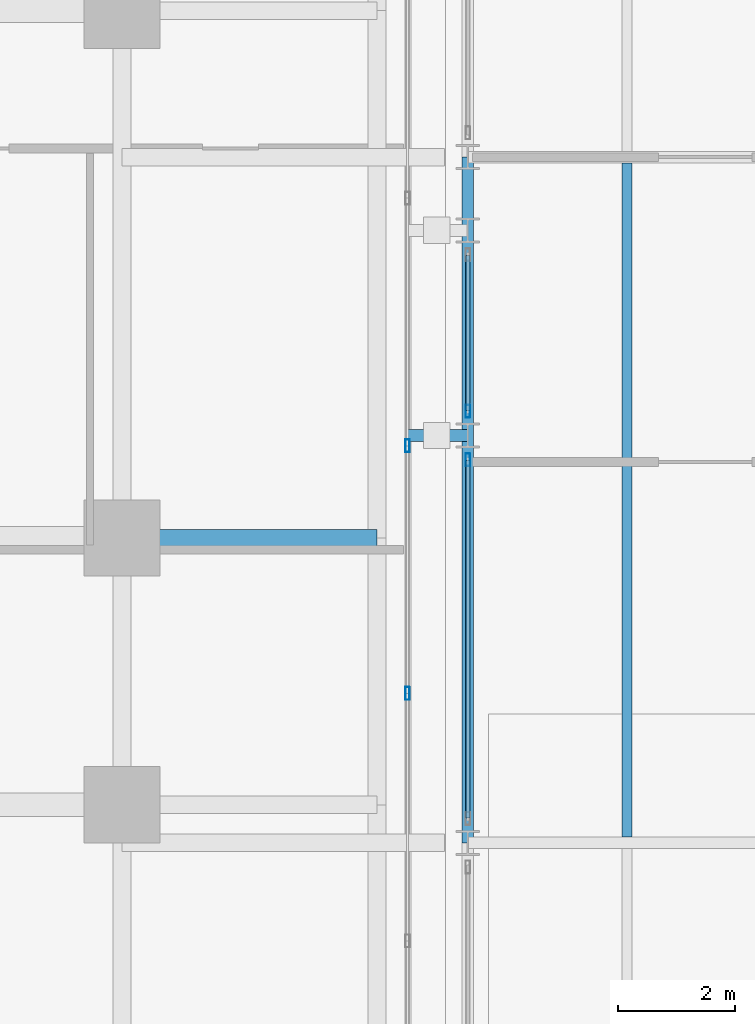
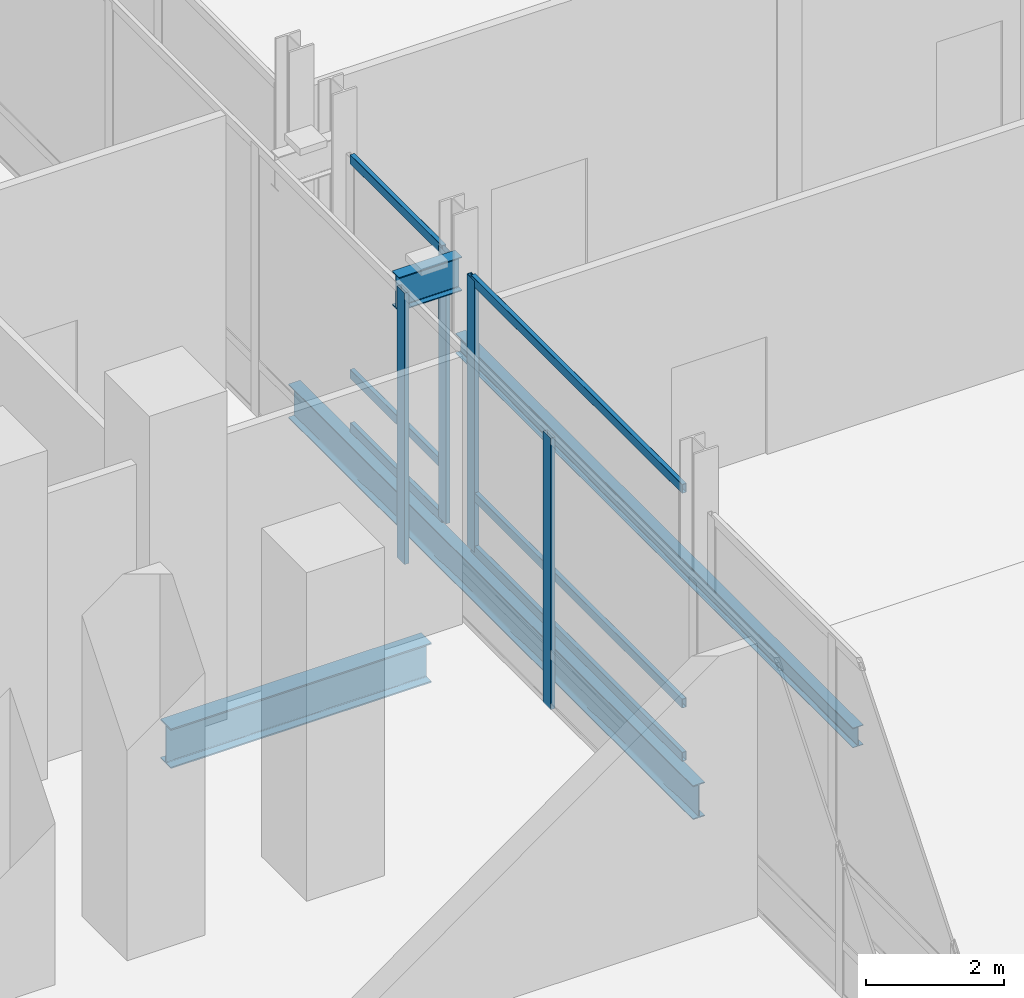
# One storey, part 11 of 36: 10 members, 4 beams, 3 elements without a shape of their own.
"""IFC4 building model written with IfcOpenShell, lengths in metres."""

from ifc_helpers import new_model, si_unit, direction, frame, origin, origin_2d, place, context, subcontext, project, spatial, hollow_rectangle, i_section, extrude, material, material_profile, profile_set, type_object, element, aggregate, save


model = new_model("IFC4")

# Units and contexts
model_context = context("Model", 3, precision=1e-05, world=origin(), true_north=direction((0.0, 1.0)))
body_context = subcontext(model_context, "Body", "Model", "MODEL_VIEW")
ifc_project = project(units=[si_unit("LENGTHUNIT", "METRE"), si_unit("AREAUNIT", "SQUARE_METRE"), si_unit("VOLUMEUNIT", "CUBIC_METRE"), si_unit("PLANEANGLEUNIT", "RADIAN"), si_unit("MASSUNIT", "GRAM", prefix="KILO")], contexts=[model_context])

# Site, building, storey
site_placement = place(None, origin())
site = spatial("IfcSite", under=ifc_project, at=site_placement, CompositionType="ELEMENT")
building_placement = place(site_placement, origin())
building = spatial("IfcBuilding", under=site, at=building_placement, Name="Noeulbin Bourse Tower", CompositionType="ELEMENT")
storey_placement = place(building_placement, origin())
storey = spatial("IfcBuildingStorey", under=building, at=storey_placement, Name="L01", CompositionType="ELEMENT", Elevation=0.0)

# Beams
ifc_material_1 = material(Name="Steel S355", Category="steel")
ifc_material_profile_1 = material_profile(ifc_material_1, i_section(OverallWidth=0.199951171875, OverallDepth=0.60009765625, WebThickness=0.010986328125, FlangeThickness=0.01708984375, FilletRadius=0.02197265625, at=origin_2d()), Name="H-600x200x11x17", Category="LoadBearing")
ifc_profile_set_1 = profile_set([ifc_material_profile_1], Name="Steel S355")
beam_type_1 = type_object("IfcBeamType", Name="BM-GRD-600", PredefinedType="USERDEFINED", material=ifc_profile_set_1)
beam_1_placement = place(storey_placement, frame((60.449951171875, 14.800048828125, -0.52001953125), z_axis=(0.0, 1.0, 0.0), x_axis=(-1.0, 0.0, 0.0)))
element("IfcBeam", 1, at=beam_1_placement, inside=storey, type_object=beam_type_1, Name="Market Hall Girder NS L01-12", ObjectType="GIRDER", PredefinedType="USERDEFINED", context=body_context, shape_type="SweptSolid", body=[
    extrude(i_section(OverallWidth=0.199951171875, OverallDepth=0.60009765625, WebThickness=0.010986328125, FlangeThickness=0.01708984375, FilletRadius=0.02197265625, at=origin_2d()), origin(), (0.0, 0.0, 1.0), 11.699951171875),
])
beam_2_placement = place(storey_placement, frame((59.39990234375, 21.75, 4.6298828125), z_axis=(1.0, 0.0, 0.0), x_axis=(0.0, 1.0, 0.0)))
element("IfcBeam", 2, at=beam_2_placement, inside=storey, type_object=beam_type_1, Name="Bridge Bearing Corbel Seat L02-1", ObjectType="GIRDER", PredefinedType="USERDEFINED", context=body_context, shape_type="SweptSolid", body=[
    extrude(i_section(OverallWidth=0.199951171875, OverallDepth=0.60009765625, WebThickness=0.010986328125, FlangeThickness=0.01708984375, FilletRadius=0.02197265625, at=origin_2d()), origin(), (0.0, 0.0, 1.0), 1.050048828125),
])
ifc_material_profile_2 = material_profile(ifc_material_1, i_section(OverallWidth=0.300048828125, OverallDepth=0.699951171875, WebThickness=0.012939453125, FlangeThickness=0.02392578125, FilletRadius=0.02392578125, at=origin_2d()), Name="H-700x300x13x24", Category="LoadBearing")
ifc_profile_set_2 = profile_set([ifc_material_profile_2], Name="Steel S355")
beam_type_2 = type_object("IfcBeamType", Name="BM-GRD-700", PredefinedType="USERDEFINED", material=ifc_profile_set_2)
beam_3_placement = place(storey_placement, frame((54.550048828125, 20.0, -0.60009765625), z_axis=(1.0, 0.0, 0.0), x_axis=(0.0, 1.0, 0.0)))
element("IfcBeam", 3, at=beam_3_placement, inside=storey, type_object=beam_type_2, Name="BM-L01-JNT-EW-3", ObjectType="GIRDER", PredefinedType="USERDEFINED", context=body_context, shape_type="SweptSolid", body=[
    extrude(i_section(OverallWidth=0.300048828125, OverallDepth=0.699951171875, WebThickness=0.012939453125, FlangeThickness=0.02392578125, FilletRadius=0.02392578125, at=origin_2d()), origin(), (0.0, 0.0, 1.0), 4.349853515625),
])
ifc_material_profile_3 = material_profile(ifc_material_1, i_section(OverallWidth=0.175048828125, OverallDepth=0.35009765625, WebThickness=0.007080078125, FlangeThickness=0.010986328125, FilletRadius=0.013916015625, at=origin_2d()), Name="H-350x175x7x11", Category="LoadBearing")
ifc_profile_set_3 = profile_set([ifc_material_profile_3], Name="Steel S355")
beam_type_3 = type_object("IfcBeamType", Name="BM-JST-350", PredefinedType="JOIST", material=ifc_profile_set_3)
beam_4_placement = place(storey_placement, frame((63.166748046875, 14.89990234375, -0.39501953125), z_axis=(0.0, 1.0, 0.0), x_axis=(-1.0, 0.0, 0.0)))
element("IfcBeam", 4, at=beam_4_placement, inside=storey, type_object=beam_type_3, Name="Market Hall Secondary Joist L01-02", PredefinedType="JOIST", context=body_context, shape_type="SweptSolid", body=[
    extrude(i_section(OverallWidth=0.175048828125, OverallDepth=0.35009765625, WebThickness=0.007080078125, FlangeThickness=0.010986328125, FilletRadius=0.013916015625, at=origin_2d()), origin(), (0.0, 0.0, 1.0), 11.5),
])

# Curtain wall, members
ifc_material_2 = material(Name="Laminated Clear Low-E Glass", Category="glass")
curtain_wall_type = type_object("IfcCurtainWallType", Name="CW-SYS-1", PredefinedType="NOTDEFINED", material=ifc_material_2)
curtain_wall_1_placement = place(storey_placement, origin())
curtain_wall_1 = element("IfcCurtainWall", 5, at=curtain_wall_1_placement, inside=storey, type_object=curtain_wall_type, Name="Unitised Curtain Wall CW-L01-GAL-W", PredefinedType="NOTDEFINED")
ifc_material_3 = material(Name="Anodised Aluminium 6063-T6", Category="aluminium")
ifc_material_profile_4 = material_profile(ifc_material_3, hollow_rectangle(XDim=0.074951171875, YDim=0.219970703125, WallThickness=0.0048828125, InnerFilletRadius=0.00244140625, OuterFilletRadius=0.0048828125, at=origin_2d()), Name="ALU-MULL-75x220x5", Category="LoadBearing")
ifc_profile_set_4 = profile_set([ifc_material_profile_4], Name="Anodised Aluminium 6063-T6")
member_type_1 = type_object("IfcMemberType", Name="CW-SYS-1-MUL", PredefinedType="MULLION", material=ifc_profile_set_4)
member_1_placement = place(storey_placement, frame((59.419921875, 17.35009765625, -0.02001953125), z_axis=(0.0, 0.0, 1.0), x_axis=(1.0, 0.0, 0.0)))
member_1 = element("IfcMember", 6, at=member_1_placement, type_object=member_type_1, Name="Curtain Wall Mullion CW-L01-GAL-W-M04", PredefinedType="MULLION", context=body_context, shape_type="SweptSolid", body=[
    extrude(hollow_rectangle(XDim=0.074951171875, YDim=0.219970703125, WallThickness=0.0048828125, InnerFilletRadius=0.00244140625, OuterFilletRadius=0.0048828125, at=origin_2d()), origin(), (0.0, 0.0, 1.0), 4.7900390625),
])
member_2_placement = place(storey_placement, frame((59.419921875, 21.574951171875, -0.02001953125), z_axis=(0.0, 0.0, 1.0), x_axis=(1.0, 0.0, 0.0)))
member_2 = element("IfcMember", 7, at=member_2_placement, type_object=member_type_1, Name="Curtain Wall Mullion CW-L01-GAL-W-M05", PredefinedType="MULLION", context=body_context, shape_type="SweptSolid", body=[
    extrude(hollow_rectangle(XDim=0.074951171875, YDim=0.219970703125, WallThickness=0.0048828125, InnerFilletRadius=0.00244140625, OuterFilletRadius=0.0048828125, at=origin_2d()), origin(), (0.0, 0.0, 1.0), 4.7900390625),
])
aggregate(curtain_wall_1, [member_1, member_2])

# Curtain wall, member
curtain_wall_2_placement = place(storey_placement, origin())
curtain_wall_2 = element("IfcCurtainWall", 8, at=curtain_wall_2_placement, inside=storey, type_object=curtain_wall_type, Name="Unitised Curtain Wall CW-L01-GAL-E-S3", PredefinedType="NOTDEFINED")
member_3_placement = place(storey_placement, frame((60.449951171875, 21.3359375, -0.02001953125), z_axis=(0.0, 0.0, 1.0), x_axis=(1.0, 0.0, 0.0)))
member_3 = element("IfcMember", 9, at=member_3_placement, type_object=member_type_1, Name="Curtain Wall Mullion CW-L01-GAL-E-S3-M01", PredefinedType="MULLION", context=body_context, shape_type="SweptSolid", body=[
    extrude(hollow_rectangle(XDim=0.074951171875, YDim=0.219970703125, WallThickness=0.0048828125, InnerFilletRadius=0.00244140625, OuterFilletRadius=0.0048828125, at=origin_2d()), origin(), (0.0, 0.0, 1.0), 4.7900390625),
])

curtain_wall_3_placement = place(storey_placement, origin())
curtain_wall_3 = element("IfcCurtainWall", 10, at=curtain_wall_3_placement, inside=storey, type_object=curtain_wall_type, Name="Unitised Curtain Wall CW-L01-GAL-E-S4", PredefinedType="NOTDEFINED")
member_4_placement = place(storey_placement, frame((60.449951171875, 22.1640625, -0.02001953125), z_axis=(0.0, 0.0, 1.0), x_axis=(1.0, 0.0, 0.0)))
member_4 = element("IfcMember", 11, at=member_4_placement, type_object=member_type_1, Name="Curtain Wall Mullion CW-L01-GAL-E-S4-M00", PredefinedType="MULLION", context=body_context, shape_type="SweptSolid", body=[
    extrude(hollow_rectangle(XDim=0.074951171875, YDim=0.219970703125, WallThickness=0.0048828125, InnerFilletRadius=0.00244140625, OuterFilletRadius=0.0048828125, at=origin_2d()), origin(), (0.0, 0.0, 1.0), 4.7900390625),
])

# Member
ifc_material_profile_5 = material_profile(ifc_material_3, hollow_rectangle(XDim=0.074951171875, YDim=0.159912109375, WallThickness=0.0048828125, InnerFilletRadius=0.00244140625, OuterFilletRadius=0.0048828125, at=origin_2d()), Name="ALU-TRAN-75x160x5", Category="LoadBearing")
ifc_profile_set_5 = profile_set([ifc_material_profile_5], Name="Anodised Aluminium 6063-T6")
member_type_2 = type_object("IfcMemberType", Name="CW-SYS-1-TRN", PredefinedType="USERDEFINED", material=ifc_profile_set_5)
member_5_placement = place(storey_placement, frame((60.449951171875, 15.22412109375, 0.010009765625), z_axis=(0.0, 1.0, 0.0), x_axis=(-1.0, 0.0, 0.0)))
member_5 = element("IfcMember", 12, at=member_5_placement, type_object=member_type_2, Name="Curtain Wall Transom CW-L01-GAL-E-S3-T00", ObjectType="TRANSOM", PredefinedType="USERDEFINED", context=body_context, shape_type="SweptSolid", body=[
    extrude(hollow_rectangle(XDim=0.074951171875, YDim=0.159912109375, WallThickness=0.0048828125, InnerFilletRadius=0.00244140625, OuterFilletRadius=0.0048828125, at=origin_2d()), origin(), (0.0, 0.0, 1.0), 6.101806640625),
])

member_6_placement = place(storey_placement, frame((60.449951171875, 15.22412109375, 0.949951171875), z_axis=(0.0, 1.0, 0.0), x_axis=(-1.0, 0.0, 0.0)))
member_6 = element("IfcMember", 13, at=member_6_placement, type_object=member_type_2, Name="Curtain Wall Transom CW-L01-GAL-E-S3-T01", ObjectType="TRANSOM", PredefinedType="USERDEFINED", context=body_context, shape_type="SweptSolid", body=[
    extrude(hollow_rectangle(XDim=0.074951171875, YDim=0.159912109375, WallThickness=0.0048828125, InnerFilletRadius=0.00244140625, OuterFilletRadius=0.0048828125, at=origin_2d()), origin(), (0.0, 0.0, 1.0), 6.101806640625),
])

member_7_placement = place(storey_placement, frame((60.449951171875, 15.22412109375, 4.739990234375), z_axis=(0.0, 1.0, 0.0), x_axis=(-1.0, 0.0, 0.0)))
member_7 = element("IfcMember", 14, at=member_7_placement, type_object=member_type_2, Name="Curtain Wall Transom CW-L01-GAL-E-S3-T02", ObjectType="TRANSOM", PredefinedType="USERDEFINED", context=body_context, shape_type="SweptSolid", body=[
    extrude(hollow_rectangle(XDim=0.074951171875, YDim=0.159912109375, WallThickness=0.0048828125, InnerFilletRadius=0.00244140625, OuterFilletRadius=0.0048828125, at=origin_2d()), origin(), (0.0, 0.0, 1.0), 6.101806640625),
])

aggregate(curtain_wall_2, [member_3, member_5, member_6, member_7])

member_8_placement = place(storey_placement, frame((60.449951171875, 22.174072265625, 0.010009765625), z_axis=(0.0, 1.0, 0.0), x_axis=(-1.0, 0.0, 0.0)))
member_8 = element("IfcMember", 15, at=member_8_placement, type_object=member_type_2, Name="Curtain Wall Transom CW-L01-GAL-E-S4-T00", ObjectType="TRANSOM", PredefinedType="USERDEFINED", context=body_context, shape_type="SweptSolid", body=[
    extrude(hollow_rectangle(XDim=0.074951171875, YDim=0.159912109375, WallThickness=0.0048828125, InnerFilletRadius=0.00244140625, OuterFilletRadius=0.0048828125, at=origin_2d()), origin(), (0.0, 0.0, 1.0), 2.65185546875),
])

member_9_placement = place(storey_placement, frame((60.449951171875, 22.174072265625, 0.949951171875), z_axis=(0.0, 1.0, 0.0), x_axis=(-1.0, 0.0, 0.0)))
member_9 = element("IfcMember", 16, at=member_9_placement, type_object=member_type_2, Name="Curtain Wall Transom CW-L01-GAL-E-S4-T01", ObjectType="TRANSOM", PredefinedType="USERDEFINED", context=body_context, shape_type="SweptSolid", body=[
    extrude(hollow_rectangle(XDim=0.074951171875, YDim=0.159912109375, WallThickness=0.0048828125, InnerFilletRadius=0.00244140625, OuterFilletRadius=0.0048828125, at=origin_2d()), origin(), (0.0, 0.0, 1.0), 2.65185546875),
])

member_10_placement = place(storey_placement, frame((60.449951171875, 22.174072265625, 4.739990234375), z_axis=(0.0, 1.0, 0.0), x_axis=(-1.0, 0.0, 0.0)))
member_10 = element("IfcMember", 17, at=member_10_placement, type_object=member_type_2, Name="Curtain Wall Transom CW-L01-GAL-E-S4-T02", ObjectType="TRANSOM", PredefinedType="USERDEFINED", context=body_context, shape_type="SweptSolid", body=[
    extrude(hollow_rectangle(XDim=0.074951171875, YDim=0.159912109375, WallThickness=0.0048828125, InnerFilletRadius=0.00244140625, OuterFilletRadius=0.0048828125, at=origin_2d()), origin(), (0.0, 0.0, 1.0), 2.65185546875),
])

aggregate(curtain_wall_3, [member_4, member_8, member_9, member_10])

save(model, "model.ifc")
